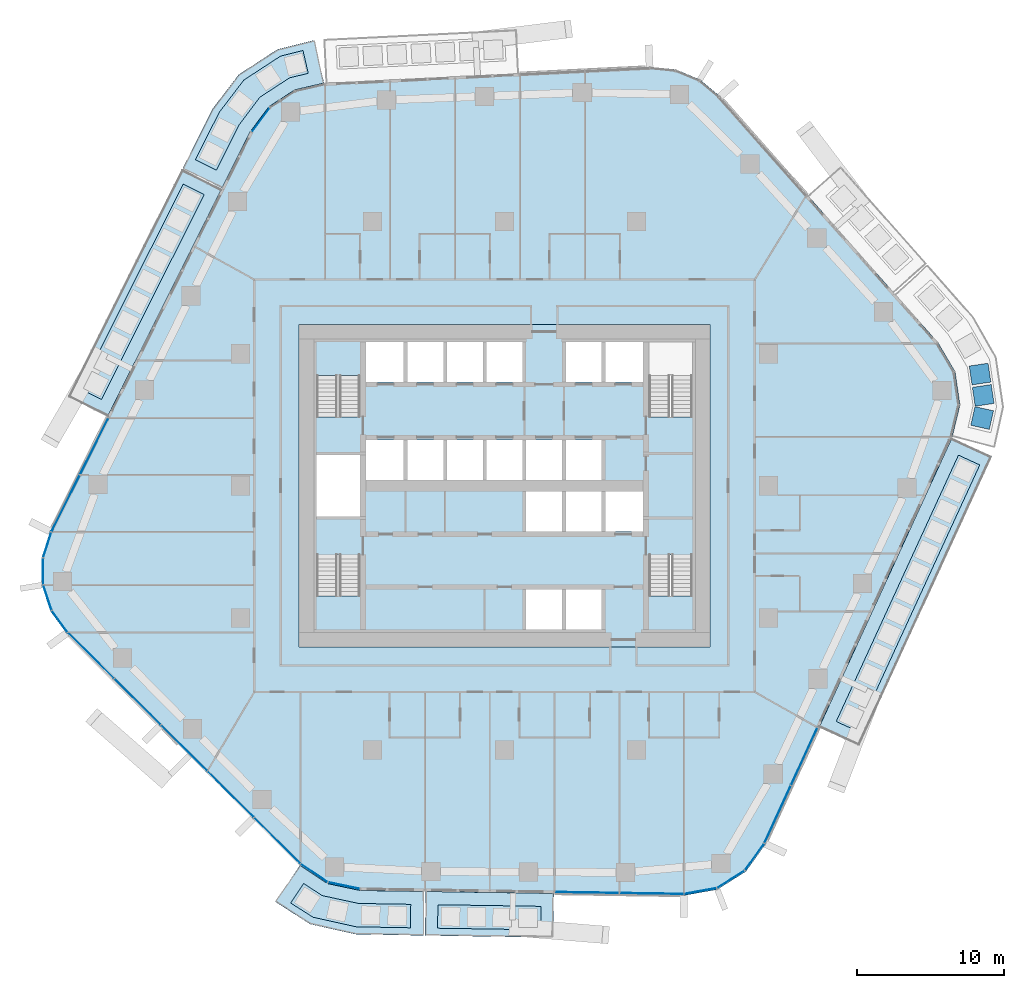
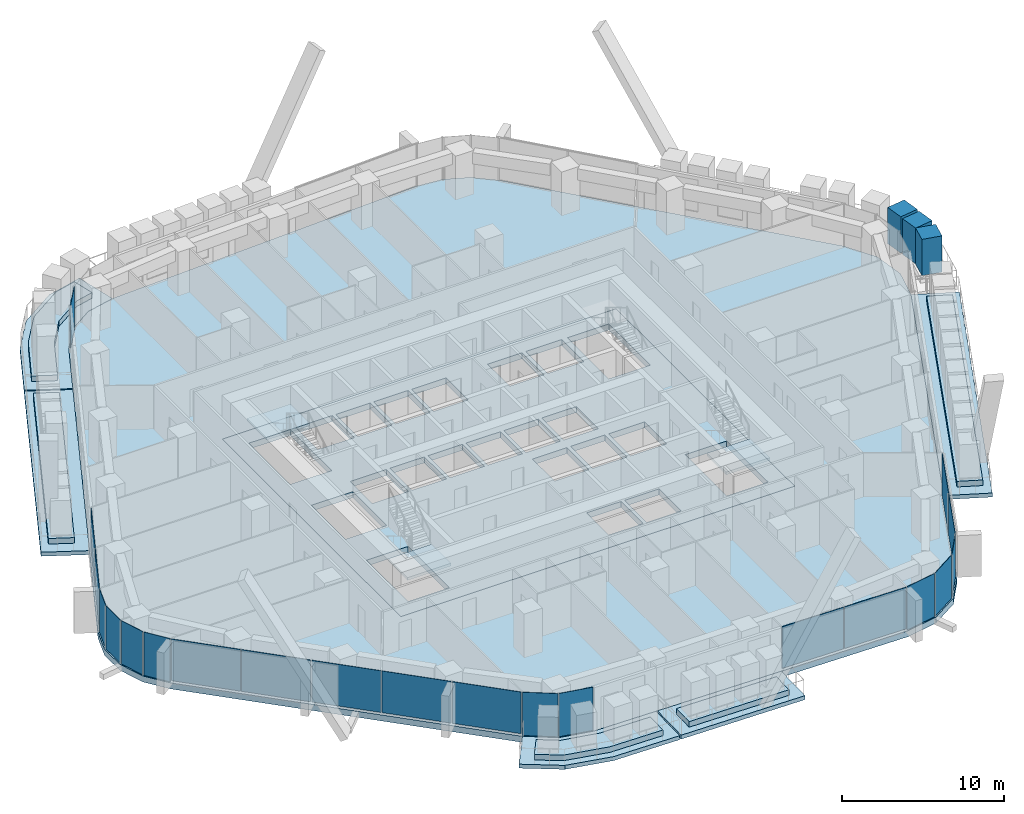
# One storey, part 9 of 25: 21 plates, 15 slabs, 3 members, 11 elements without a shape of their own.
"""IFC4 building model written with IfcOpenShell, lengths in metres."""

from ifc_helpers import new_model, si_unit, direction, frame, origin, origin_2d, place, context, subcontext, project, spatial, polyline, rectangle, outline, extrude, material, layer, layer_set, material_profile, profile_set, type_object, element, aggregate, save


model = new_model("IFC4")

# Units and contexts
model_context = context("Model", 3, precision=1e-05, world=origin(), true_north=direction((0.0, 1.0)))
body_context = subcontext(model_context, "Body", "Model", "MODEL_VIEW")
ifc_project = project(units=[si_unit("LENGTHUNIT", "METRE"), si_unit("AREAUNIT", "SQUARE_METRE"), si_unit("VOLUMEUNIT", "CUBIC_METRE"), si_unit("PLANEANGLEUNIT", "RADIAN"), si_unit("MASSUNIT", "GRAM", prefix="KILO")], contexts=[model_context])

# Site, building, storey
site_placement = place(None, origin())
site = spatial("IfcSite", under=ifc_project, at=site_placement, CompositionType="ELEMENT")
building_placement = place(site_placement, origin())
building = spatial("IfcBuilding", under=site, at=building_placement, Name="Dongbaek Canopy Tower", CompositionType="ELEMENT")
storey_placement = place(building_placement, frame((0.0, 0.0, 102.60009765625)))
storey = spatial("IfcBuildingStorey", under=building, at=storey_placement, Name="L21", CompositionType="ELEMENT", Elevation=102.60009765625)

# Members
ifc_material_1 = material(Name="Concrete C40/50 planter mass with planting", Category="concrete")
ifc_material_profile = material_profile(ifc_material_1, rectangle(XDim=1.300048828125, YDim=1.300048828125, at=origin_2d()), Name="Terrace PLANTER shrub mass 1300 x 1300")
ifc_profile_set = profile_set([ifc_material_profile], Name="Concrete C40/50 planter mass with planting")
member_type = type_object("IfcMemberType", Name="Terrace PLANTER shrub mass 1300 x 1300", PredefinedType="USERDEFINED", material=ifc_profile_set)
member_1_placement = place(storey_placement, frame((32.549072265625, 4.616943359375, 0.419921875), z_axis=(0.0, 0.0, 1.0), x_axis=(0.976094112802, -0.217348298712, 0.0)))
element("IfcMember", 1, at=member_1_placement, inside=storey, type_object=member_type, Name="Planter shrubs L21 6.1", ObjectType="PLANTER", PredefinedType="USERDEFINED", context=body_context, shape_type="SweptSolid", body=[
    extrude(rectangle(XDim=1.300048828125, YDim=1.300048828125, at=origin_2d()), origin(), (0.0, 0.0, 1.0), 2.72998046875),
])
member_2_placement = place(storey_placement, frame((32.62255859375, 6.158935546875, 0.419921875), z_axis=(0.0, 0.0, 1.0), x_axis=(0.989189795198, 0.146640884737, 0.0)))
element("IfcMember", 2, at=member_2_placement, inside=storey, type_object=member_type, Name="Planter shrubs L21 6.2", ObjectType="PLANTER", PredefinedType="USERDEFINED", context=body_context, shape_type="SweptSolid", body=[
    extrude(rectangle(XDim=1.300048828125, YDim=1.300048828125, at=origin_2d()), origin(), (0.0, 0.0, 1.0), 2.68994140625),
])
member_3_placement = place(storey_placement, frame((32.406982421875, 7.6142578125, 0.419921875), z_axis=(0.0, 0.0, 1.0), x_axis=(0.989189795198, 0.146640884737, 0.0)))
element("IfcMember", 3, at=member_3_placement, inside=storey, type_object=member_type, Name="Planter shrubs L21 6.3", ObjectType="PLANTER", PredefinedType="USERDEFINED", context=body_context, shape_type="SweptSolid", body=[
    extrude(rectangle(XDim=1.300048828125, YDim=1.300048828125, at=origin_2d()), origin(), (0.0, 0.0, 1.0), 2.72998046875),
])

# Slabs
ifc_material_2 = material(Name="Concrete C40/50", Category="concrete")
ifc_layer_1 = layer(ifc_material_2, 0.300048828125)
ifc_layer_set_1 = layer_set([ifc_layer_1], Name="Balcony slab 300")
slab_type_1 = type_object("IfcSlabType", Name="Balcony slab 300", PredefinedType="FLOOR", material=ifc_layer_set_1)
slab_1_placement = place(storey_placement, frame((0.0, 0.0, -0.300048828125)))
element("IfcSlab", 4, at=slab_1_placement, inside=storey, type_object=slab_type_1, Name="Balcony L21 3", PredefinedType="FLOOR", context=body_context, shape_type="SweptSolid", body=[
    extrude(outline(polyline([(-19.29296875, 20.208740234375), (-27.054443359375, 4.7177734375), (-29.736572265625, 6.061767578125), (-21.97509765625, 21.552490234375), (-19.29296875, 20.208740234375)])), origin(), (0.0, 0.0, 1.0), 0.300048828125),
])
slab_2_placement = place(storey_placement, frame((0.0, 0.0, -0.300048828125)))
element("IfcSlab", 5, at=slab_2_placement, inside=storey, type_object=slab_type_1, Name="Balcony L21 7", PredefinedType="FLOOR", context=body_context, shape_type="SweptSolid", body=[
    extrude(outline(polyline([(-12.300537109375, 27.442138671875), (-14.301025390625, 26.98291015625), (-16.062255859375, 25.834228515625), (-17.31884765625, 24.1484375), (-19.248046875, 20.298095703125), (-21.93017578125, 21.641845703125), (-19.87255859375, 25.722900390625), (-18.115966796875, 28.02099609375), (-15.474365234375, 29.743896484375), (-12.971923828125, 30.365966796875), (-12.300537109375, 27.442138671875)])), origin(), (0.0, 0.0, 1.0), 0.300048828125),
])
slab_3_placement = place(storey_placement, frame((0.0, 0.0, -0.300048828125)))
element("IfcSlab", 6, at=slab_3_placement, inside=storey, type_object=slab_type_1, Name="Balcony L21 4", PredefinedType="FLOOR", context=body_context, shape_type="SweptSolid", body=[
    extrude(outline(polyline([(-5.375244140625, -27.649658203125), (3.3583984375, -27.7841796875), (3.312255859375, -30.783935546875), (-5.42138671875, -30.649169921875), (-5.375244140625, -27.649658203125)])), origin(), (0.0, 0.0, 1.0), 0.300048828125),
])
slab_4_placement = place(storey_placement, frame((0.0, 0.0, -0.300048828125)))
element("IfcSlab", 7, at=slab_4_placement, inside=storey, type_object=slab_type_1, Name="Balcony L21 8", PredefinedType="FLOOR", context=body_context, shape_type="SweptSolid", body=[
    extrude(outline(polyline([(-13.938720703125, -25.864013671875), (-12.08056640625, -27.110107421875), (-9.842041015625, -27.580810546875), (-5.47509765625, -27.64794921875), (-5.521484375, -30.647705078125), (-10.17529296875, -30.562255859375), (-13.245849609375, -29.87451171875), (-15.609619140625, -28.35546875), (-13.938720703125, -25.864013671875)])), origin(), (0.0, 0.0, 1.0), 0.300048828125),
])
slab_5_placement = place(storey_placement, frame((0.0, 0.0, -0.300048828125)))
element("IfcSlab", 8, at=slab_5_placement, inside=storey, type_object=slab_type_1, Name="Balcony L21 5", PredefinedType="FLOOR", context=body_context, shape_type="SweptSolid", body=[
    extrude(outline(polyline([(21.44091796875, -16.46435546875), (30.480712890625, 3.231689453125), (33.207275390625, 1.980224609375), (24.16748046875, -17.7158203125), (21.44091796875, -16.46435546875)])), origin(), (0.0, 0.0, 1.0), 0.300048828125),
])

# Curtain wall, plate
ifc_material_3 = material(Name="Aluminium 6063-T6 pale anodised", Category="aluminium")
ifc_layer_2 = layer(ifc_material_3, 0.199951171875)
ifc_layer_set_2 = layer_set([ifc_layer_2], Name="CW-1 unitised tower curtain wall")
curtain_wall_type = type_object("IfcCurtainWallType", Name="CW-1 unitised tower curtain wall", PredefinedType="NOTDEFINED", material=ifc_layer_set_2)
curtain_wall_1_placement = place(storey_placement, origin())
curtain_wall_1 = element("IfcCurtainWall", 9, at=curtain_wall_1_placement, inside=storey, type_object=curtain_wall_type, Name="CW-1 curtain wall K2.1b", PredefinedType="NOTDEFINED")
ifc_material_4 = material(Name="Clear laminated glass", Category="glass")
ifc_layer_3 = layer(ifc_material_4, 0.028076171875)
ifc_layer_set_3 = layer_set([ifc_layer_3], Name="CW-1 glazed panel 28")
plate_type = type_object("IfcPlateType", Name="CW-1 glazed panel 28", PredefinedType="CURTAIN_PANEL", material=ifc_layer_set_3)
plate_1_placement = place(storey_placement, frame((-16.613037109375, 24.927978515625, 0.0), z_axis=(0.0, 0.0, 1.0), x_axis=(-0.597679920267, -0.80173481458, 0.0)))
plate_1 = element("IfcPlate", 10, at=plate_1_placement, type_object=plate_type, Name="CW-1 panel K2.1b.2.1", PredefinedType="CURTAIN_PANEL", context=body_context, shape_type="SweptSolid", body=[
    extrude(rectangle(XDim=1.991943359375, YDim=0.028076171875, at=origin_2d()), origin(), (0.0, 0.0, 1.0), 3.25),
])
aggregate(curtain_wall_1, [plate_1])

# Curtain wall, plates
curtain_wall_2_placement = place(storey_placement, origin())
curtain_wall_2 = element("IfcCurtainWall", 11, at=curtain_wall_2_placement, inside=storey, type_object=curtain_wall_type, Name="CW-1 curtain wall F2.1", PredefinedType="NOTDEFINED")
plate_2_placement = place(storey_placement, frame((-27.963134765625, 2.6806640625, 0.119873046875), z_axis=(0.0, 0.0, 1.0), x_axis=(-0.447955625381, -0.894055791151, 0.0)))
plate_2 = element("IfcPlate", 12, at=plate_2_placement, type_object=plate_type, Name="CW-1 panel F2.1.1.1", PredefinedType="CURTAIN_PANEL", context=body_context, shape_type="SweptSolid", body=[
    extrude(rectangle(XDim=4.272705078125, YDim=0.028076171875, at=origin_2d()), origin(), (0.0, 0.0, 1.0), 3.1298828125),
])
plate_3_placement = place(storey_placement, frame((-29.9130859375, -1.210693359375, 0.119873046875), z_axis=(0.0, 0.0, 1.0), x_axis=(-0.447955625381, -0.894055791151, 0.0)))
plate_3 = element("IfcPlate", 13, at=plate_3_placement, type_object=plate_type, Name="CW-1 panel F2.1.2.1", PredefinedType="CURTAIN_PANEL", context=body_context, shape_type="SweptSolid", body=[
    extrude(rectangle(XDim=4.264892578125, YDim=0.028076171875, at=origin_2d()), origin(), (0.0, 0.0, 1.0), 3.1298828125),
])
aggregate(curtain_wall_2, [plate_2, plate_3])

curtain_wall_3_placement = place(storey_placement, origin())
curtain_wall_3 = element("IfcCurtainWall", 14, at=curtain_wall_3_placement, inside=storey, type_object=curtain_wall_type, Name="CW-1 curtain wall K3.1", PredefinedType="NOTDEFINED")
plate_4_placement = place(storey_placement, frame((-31.1669921875, -4.03515625, 0.0), z_axis=(0.0, 0.0, 1.0), x_axis=(-0.303048141579, -0.952975248307, 0.0)))
plate_4 = element("IfcPlate", 15, at=plate_4_placement, type_object=plate_type, Name="CW-1 panel K3.1.1.1", PredefinedType="CURTAIN_PANEL", context=body_context, shape_type="SweptSolid", body=[
    extrude(rectangle(XDim=1.763671875, YDim=0.028076171875, at=origin_2d()), origin(), (0.0, 0.0, 1.0), 3.25),
])
plate_5_placement = place(storey_placement, frame((-31.442138671875, -5.83544921875, 0.0), z_axis=(0.0, 0.0, 1.0), x_axis=(0.005286005708, -0.999986028974, 0.0)))
plate_5 = element("IfcPlate", 16, at=plate_5_placement, type_object=plate_type, Name="CW-1 panel K3.1.2.1", PredefinedType="CURTAIN_PANEL", context=body_context, shape_type="SweptSolid", body=[
    extrude(rectangle(XDim=1.755859375, YDim=0.028076171875, at=origin_2d()), origin(), (0.0, 0.0, 1.0), 3.25),
])
plate_6_placement = place(storey_placement, frame((-31.149169921875, -7.629150390625, 0.0), z_axis=(0.0, 0.0, 1.0), x_axis=(0.313105930571, -0.94971820886, 0.0)))
plate_6 = element("IfcPlate", 17, at=plate_6_placement, type_object=plate_type, Name="CW-1 panel K3.1.3.1", PredefinedType="CURTAIN_PANEL", context=body_context, shape_type="SweptSolid", body=[
    extrude(rectangle(XDim=1.755859375, YDim=0.028076171875, at=origin_2d()), origin(), (0.0, 0.0, 1.0), 3.25),
])
plate_7_placement = place(storey_placement, frame((-30.315673828125, -9.248291015625, 0.0), z_axis=(0.0, 0.0, 1.0), x_axis=(0.59046692307, -0.80706183949, 0.0)))
plate_7 = element("IfcPlate", 18, at=plate_7_placement, type_object=plate_type, Name="CW-1 panel K3.1.4.1", PredefinedType="CURTAIN_PANEL", context=body_context, shape_type="SweptSolid", body=[
    extrude(rectangle(XDim=1.763671875, YDim=0.028076171875, at=origin_2d()), origin(), (0.0, 0.0, 1.0), 3.25),
])
aggregate(curtain_wall_3, [plate_4, plate_5, plate_6, plate_7])

curtain_wall_4_placement = place(storey_placement, origin())
curtain_wall_4 = element("IfcCurtainWall", 19, at=curtain_wall_4_placement, inside=storey, type_object=curtain_wall_type, Name="CW-1 curtain wall F3.1", PredefinedType="NOTDEFINED")
plate_8_placement = place(storey_placement, frame((-28.186279296875, -11.56884765625, 0.119873046875), z_axis=(0.0, 0.0, 1.0), x_axis=(0.709102880768, -0.705105030819, 0.0)))
plate_8 = element("IfcPlate", 20, at=plate_8_placement, type_object=plate_type, Name="CW-1 panel F3.1.1.1", PredefinedType="CURTAIN_PANEL", context=body_context, shape_type="SweptSolid", body=[
    extrude(rectangle(XDim=4.383056640625, YDim=0.028076171875, at=origin_2d()), origin(), (0.0, 0.0, 1.0), 3.1298828125),
])
plate_9_placement = place(storey_placement, frame((-25.015869140625, -14.721435546875, 0.119873046875), z_axis=(0.0, 0.0, 1.0), x_axis=(0.709102880768, -0.705105030819, 0.0)))
plate_9 = element("IfcPlate", 21, at=plate_9_placement, type_object=plate_type, Name="CW-1 panel F3.1.2.1", PredefinedType="CURTAIN_PANEL", context=body_context, shape_type="SweptSolid", body=[
    extrude(rectangle(XDim=4.390869140625, YDim=0.028076171875, at=origin_2d()), origin(), (0.0, 0.0, 1.0), 3.1298828125),
])
plate_10_placement = place(storey_placement, frame((-21.8427734375, -17.876708984375, 0.119873046875), z_axis=(0.0, 0.0, 1.0), x_axis=(0.709102880768, -0.705105030819, 0.0)))
plate_10 = element("IfcPlate", 22, at=plate_10_placement, type_object=plate_type, Name="CW-1 panel F3.1.3.1", PredefinedType="CURTAIN_PANEL", context=body_context, shape_type="SweptSolid", body=[
    extrude(rectangle(XDim=4.390869140625, YDim=0.028076171875, at=origin_2d()), origin(), (0.0, 0.0, 1.0), 3.1298828125),
])
plate_11_placement = place(storey_placement, frame((-18.66943359375, -21.0322265625, 0.119873046875), z_axis=(0.0, 0.0, 1.0), x_axis=(0.709102880768, -0.705105030819, 0.0)))
plate_11 = element("IfcPlate", 23, at=plate_11_placement, type_object=plate_type, Name="CW-1 panel F3.1.4.1", PredefinedType="CURTAIN_PANEL", context=body_context, shape_type="SweptSolid", body=[
    extrude(rectangle(XDim=4.390869140625, YDim=0.028076171875, at=origin_2d()), origin(), (0.0, 0.0, 1.0), 3.1298828125),
])
plate_12_placement = place(storey_placement, frame((-15.499755859375, -24.18408203125, 0.119873046875), z_axis=(0.0, 0.0, 1.0), x_axis=(0.709102880768, -0.705105030819, 0.0)))
plate_12 = element("IfcPlate", 24, at=plate_12_placement, type_object=plate_type, Name="CW-1 panel F3.1.5.1", PredefinedType="CURTAIN_PANEL", context=body_context, shape_type="SweptSolid", body=[
    extrude(rectangle(XDim=4.38134765625, YDim=0.028076171875, at=origin_2d()), origin(), (0.0, 0.0, 1.0), 3.1298828125),
])
aggregate(curtain_wall_4, [plate_8, plate_9, plate_10, plate_11, plate_12])

curtain_wall_5_placement = place(storey_placement, origin())
curtain_wall_5 = element("IfcCurtainWall", 25, at=curtain_wall_5_placement, inside=storey, type_object=curtain_wall_type, Name="CW-1 curtain wall K4.1", PredefinedType="NOTDEFINED")
plate_13_placement = place(storey_placement, frame((-12.978759765625, -26.38720703125, 0.0), z_axis=(0.0, 0.0, 1.0), x_axis=(0.830505455557, -0.557010492083, 0.0)))
plate_13 = element("IfcPlate", 26, at=plate_13_placement, type_object=plate_type, Name="CW-1 panel K4.1.1.1", PredefinedType="CURTAIN_PANEL", context=body_context, shape_type="SweptSolid", body=[
    extrude(rectangle(XDim=2.17431640625, YDim=0.028076171875, at=origin_2d()), origin(), (0.0, 0.0, 1.0), 3.25),
])
plate_14_placement = place(storey_placement, frame((-10.935791015625, -27.24853515625, 0.0), z_axis=(0.0, 0.0, 1.0), x_axis=(0.978610165057, -0.205723466931, 0.0)))
plate_14 = element("IfcPlate", 27, at=plate_14_placement, type_object=plate_type, Name="CW-1 panel K4.1.2.1", PredefinedType="CURTAIN_PANEL", context=body_context, shape_type="SweptSolid", body=[
    extrude(rectangle(XDim=2.17431640625, YDim=0.028076171875, at=origin_2d()), origin(), (0.0, 0.0, 1.0), 3.25),
])
aggregate(curtain_wall_5, [plate_13, plate_14])

curtain_wall_6_placement = place(storey_placement, origin())
curtain_wall_6 = element("IfcCurtainWall", 28, at=curtain_wall_6_placement, inside=storey, type_object=curtain_wall_type, Name="CW-1 curtain wall F4.1", PredefinedType="NOTDEFINED")
plate_15_placement = place(storey_placement, frame((5.618408203125, -27.718994140625, 0.119873046875), z_axis=(0.0, 0.0, 1.0), x_axis=(0.999881214531, -0.015412878639, 0.0)))
plate_15 = element("IfcPlate", 29, at=plate_15_placement, type_object=plate_type, Name="CW-1 panel F4.1.1.1", PredefinedType="CURTAIN_PANEL", context=body_context, shape_type="SweptSolid", body=[
    extrude(rectangle(XDim=4.333251953125, YDim=0.028076171875, at=origin_2d()), origin(), (0.0, 0.0, 1.0), 3.1298828125),
])
plate_16_placement = place(storey_placement, frame((10.0302734375, -27.787109375, 0.119873046875), z_axis=(0.0, 0.0, 1.0), x_axis=(0.999881214531, -0.015412878639, 0.0)))
plate_16 = element("IfcPlate", 30, at=plate_16_placement, type_object=plate_type, Name="CW-1 panel F4.1.2.1", PredefinedType="CURTAIN_PANEL", context=body_context, shape_type="SweptSolid", body=[
    extrude(rectangle(XDim=4.32373046875, YDim=0.028076171875, at=origin_2d()), origin(), (0.0, 0.0, 1.0), 3.1298828125),
])
aggregate(curtain_wall_6, [plate_15, plate_16])

curtain_wall_7_placement = place(storey_placement, origin())
curtain_wall_7 = element("IfcCurtainWall", 31, at=curtain_wall_7_placement, inside=storey, type_object=curtain_wall_type, Name="CW-1 curtain wall K5.1", PredefinedType="NOTDEFINED")
plate_17_placement = place(storey_placement, frame((13.350341796875, -27.62109375, 0.0), z_axis=(0.0, 0.0, 1.0), x_axis=(0.984333827458, 0.176314821048, 0.0)))
plate_17 = element("IfcPlate", 32, at=plate_17_placement, type_object=plate_type, Name="CW-1 panel K5.1.1.1", PredefinedType="CURTAIN_PANEL", context=body_context, shape_type="SweptSolid", body=[
    extrude(rectangle(XDim=2.184326171875, YDim=0.028076171875, at=origin_2d()), origin(), (0.0, 0.0, 1.0), 3.25),
])
plate_18_placement = place(storey_placement, frame((15.422119140625, -26.81884765625, 0.0), z_axis=(0.0, 0.0, 1.0), x_axis=(0.845897275407, 0.533345853512, 0.0)))
plate_18 = element("IfcPlate", 33, at=plate_18_placement, type_object=plate_type, Name="CW-1 panel K5.1.2.1", PredefinedType="CURTAIN_PANEL", context=body_context, shape_type="SweptSolid", body=[
    extrude(rectangle(XDim=2.174560546875, YDim=0.028076171875, at=origin_2d()), origin(), (0.0, 0.0, 1.0), 3.25),
])
plate_19_placement = place(storey_placement, frame((17.0390625, -25.295166015625, 0.0), z_axis=(0.0, 0.0, 1.0), x_axis=(0.583421868273, 0.812169270301, 0.0)))
plate_19 = element("IfcPlate", 34, at=plate_19_placement, type_object=plate_type, Name="CW-1 panel K5.1.3.1", PredefinedType="CURTAIN_PANEL", context=body_context, shape_type="SweptSolid", body=[
    extrude(rectangle(XDim=2.184326171875, YDim=0.028076171875, at=origin_2d()), origin(), (0.0, 0.0, 1.0), 3.25),
])
aggregate(curtain_wall_7, [plate_17, plate_18, plate_19])

curtain_wall_8_placement = place(storey_placement, origin())
curtain_wall_8 = element("IfcCurtainWall", 35, at=curtain_wall_8_placement, inside=storey, type_object=curtain_wall_type, Name="CW-1 curtain wall F5.1", PredefinedType="NOTDEFINED")
plate_20_placement = place(storey_placement, frame((18.60693359375, -22.39990234375, 0.119873046875), z_axis=(0.0, 0.0, 1.0), x_axis=(0.417125975185, 0.908848678728, 0.0)))
plate_20 = element("IfcPlate", 36, at=plate_20_placement, type_object=plate_type, Name="CW-1 panel F5.1.1.1", PredefinedType="CURTAIN_PANEL", context=body_context, shape_type="SweptSolid", body=[
    extrude(rectangle(XDim=4.260498046875, YDim=0.028076171875, at=origin_2d()), origin(), (0.0, 0.0, 1.0), 3.1298828125),
])
plate_21_placement = place(storey_placement, frame((20.421142578125, -18.44677734375, 0.119873046875), z_axis=(0.0, 0.0, 1.0), x_axis=(0.417125975185, 0.908848678728, 0.0)))
plate_21 = element("IfcPlate", 37, at=plate_21_placement, type_object=plate_type, Name="CW-1 panel F5.1.2.1", PredefinedType="CURTAIN_PANEL", context=body_context, shape_type="SweptSolid", body=[
    extrude(rectangle(XDim=4.270263671875, YDim=0.028076171875, at=origin_2d()), origin(), (0.0, 0.0, 1.0), 3.1298828125),
])
aggregate(curtain_wall_8, [plate_20, plate_21])

# Slab
ifc_material_5 = material(Name="Concrete C40/50", Category="concrete")
ifc_layer_4 = layer(ifc_material_5, 0.449951171875)
ifc_layer_set_4 = layer_set([ifc_layer_4], Name="Core floor slab 450 Concrete C40/50")
slab_type_2 = type_object("IfcSlabType", Name="Core floor slab 450 Concrete C40/50", PredefinedType="FLOOR", material=ifc_layer_set_4)
slab_6_placement = place(storey_placement, frame((0.0, 0.0, -0.4501953125)))
element("IfcSlab", 38, at=slab_6_placement, inside=storey, type_object=slab_type_2, Name="Core floor slab L21", PredefinedType="FLOOR", context=body_context, shape_type="SweptSolid", body=[
    extrude(outline(polyline([(14.0, -11.0), (14.0, 11.0), (-14.0, 11.0), (-14.0, -11.0), (14.0, -11.0)]), holes=[polyline([(-12.800048828125, 2.10009765625), (-9.85009765625, 2.10009765625), (-9.85009765625, -2.10009765625), (-12.800048828125, -2.10009765625), (-12.800048828125, 2.10009765625)]), polyline([(-6.875, 9.800048828125), (-6.875, 7.074951171875), (-9.449951171875, 7.074951171875), (-9.449951171875, 9.800048828125), (-6.875, 9.800048828125)]), polyline([(-4.175048828125, 9.800048828125), (-4.175048828125, 7.074951171875), (-6.625, 7.074951171875), (-6.625, 9.800048828125), (-4.175048828125, 9.800048828125)]), polyline([(-1.47509765625, 9.800048828125), (-1.47509765625, 7.074951171875), (-3.925048828125, 7.074951171875), (-3.925048828125, 9.800048828125), (-1.47509765625, 9.800048828125)]), polyline([(1.22509765625, 9.800048828125), (1.22509765625, 7.074951171875), (-1.22509765625, 7.074951171875), (-1.22509765625, 9.800048828125), (1.22509765625, 9.800048828125)]), polyline([(6.625, 9.800048828125), (6.625, 7.074951171875), (4.175048828125, 7.074951171875), (4.175048828125, 9.800048828125), (6.625, 9.800048828125)]), polyline([(9.449951171875, 7.074951171875), (6.875, 7.074951171875), (6.875, 9.800048828125), (9.449951171875, 9.800048828125), (9.449951171875, 7.074951171875)]), polyline([(-9.449951171875, 3.125), (-6.875, 3.125), (-6.875, 0.39990234375), (-9.449951171875, 0.39990234375), (-9.449951171875, 3.125)]), polyline([(-6.625, 3.125), (-4.175048828125, 3.125), (-4.175048828125, 0.39990234375), (-6.625, 0.39990234375), (-6.625, 3.125)]), polyline([(-3.925048828125, 3.125), (-1.47509765625, 3.125), (-1.47509765625, 0.39990234375), (-3.925048828125, 0.39990234375), (-3.925048828125, 3.125)]), polyline([(-1.22509765625, 0.39990234375), (-1.22509765625, 3.125), (1.22509765625, 3.125), (1.22509765625, 0.39990234375), (-1.22509765625, 0.39990234375)]), polyline([(1.47509765625, 0.39990234375), (1.47509765625, 3.125), (3.925048828125, 3.125), (3.925048828125, 0.39990234375), (1.47509765625, 0.39990234375)]), polyline([(4.175048828125, 0.39990234375), (4.175048828125, 3.125), (6.625, 3.125), (6.625, 0.39990234375), (4.175048828125, 0.39990234375)]), polyline([(1.47509765625, -0.39990234375), (3.925048828125, -0.39990234375), (3.925048828125, -3.125), (1.47509765625, -3.125), (1.47509765625, -0.39990234375)]), polyline([(6.625, -0.39990234375), (6.625, -3.125), (4.175048828125, -3.125), (4.175048828125, -0.39990234375), (6.625, -0.39990234375)]), polyline([(9.449951171875, -3.125), (6.875, -3.125), (6.875, -0.39990234375), (9.449951171875, -0.39990234375), (9.449951171875, -3.125)]), polyline([(1.47509765625, -9.800048828125), (1.47509765625, -7.074951171875), (3.925048828125, -7.074951171875), (3.925048828125, -9.800048828125), (1.47509765625, -9.800048828125)]), polyline([(4.175048828125, -9.800048828125), (4.175048828125, -7.074951171875), (6.625, -7.074951171875), (6.625, -9.800048828125), (4.175048828125, -9.800048828125)]), polyline([(12.800048828125, 4.70068359375), (12.800048828125, 9.800048828125), (9.85009765625, 9.800048828125), (9.85009765625, 4.70068359375), (12.800048828125, 4.70068359375)]), polyline([(-9.85009765625, 4.70068359375), (-9.85009765625, 9.800048828125), (-12.800048828125, 9.800048828125), (-12.800048828125, 4.70068359375), (-9.85009765625, 4.70068359375)]), polyline([(9.85009765625, -4.70068359375), (9.85009765625, -9.800048828125), (12.800048828125, -9.800048828125), (12.800048828125, -4.70068359375), (9.85009765625, -4.70068359375)]), polyline([(-12.800048828125, -4.70068359375), (-12.800048828125, -9.800048828125), (-9.85009765625, -9.800048828125), (-9.85009765625, -4.70068359375), (-12.800048828125, -4.70068359375)])]), origin(), (0.0, 0.0, 1.0), 0.4501953125),
])

# Stair, slab
ifc_material_6 = material(Name="Concrete C40/50", Category="concrete")
stair_type = type_object("IfcStairType", Name="Core exit stair", PredefinedType="HALF_TURN_STAIR", material=ifc_material_6)
stair_1_placement = place(storey_placement, origin())
stair_1 = element("IfcStair", 39, at=stair_1_placement, inside=storey, type_object=stair_type, Name="L21 exit stair C", PredefinedType="HALF_TURN_STAIR")
ifc_material_7 = material(Name="Concrete C40/50", Category="concrete")
ifc_layer_5 = layer(ifc_material_7, 0.199951171875)
ifc_layer_set_5 = layer_set([ifc_layer_5], Name="Core stair landing 200")
slab_type_3 = type_object("IfcSlabType", Name="Core stair landing 200", PredefinedType="LANDING", material=ifc_layer_set_5)
slab_7_placement = place(storey_placement, frame((0.0, 0.0, 1.64990234375)))
slab_7 = element("IfcSlab", 40, at=slab_7_placement, type_object=slab_type_3, Name="ST-C landing 1", PredefinedType="LANDING", context=body_context, shape_type="SweptSolid", body=[
    extrude(outline(polyline([(-9.77490234375, 7.5), (-9.77490234375, 9.875), (-12.875, 9.875), (-12.875, 7.5), (-9.77490234375, 7.5)])), origin(), (0.0, 0.0, 1.0), 0.199951171875),
])
aggregate(stair_1, [slab_7])

stair_2_placement = place(storey_placement, origin())
stair_2 = element("IfcStair", 41, at=stair_2_placement, inside=storey, type_object=stair_type, Name="L21 exit stair B", PredefinedType="HALF_TURN_STAIR")
slab_8_placement = place(storey_placement, frame((0.0, 0.0, 1.64990234375)))
slab_8 = element("IfcSlab", 42, at=slab_8_placement, type_object=slab_type_3, Name="ST-B landing 1", PredefinedType="LANDING", context=body_context, shape_type="SweptSolid", body=[
    extrude(outline(polyline([(9.77490234375, -7.5), (9.77490234375, -9.875), (12.875, -9.875), (12.875, -7.5), (9.77490234375, -7.5)])), origin(), (0.0, 0.0, 1.0), 0.199951171875),
])
aggregate(stair_2, [slab_8])

stair_3_placement = place(storey_placement, origin())
stair_3 = element("IfcStair", 43, at=stair_3_placement, inside=storey, type_object=stair_type, Name="L21 exit stair D", PredefinedType="HALF_TURN_STAIR")
slab_9_placement = place(storey_placement, frame((0.0, 0.0, 1.64990234375)))
slab_9 = element("IfcSlab", 44, at=slab_9_placement, type_object=slab_type_3, Name="ST-D landing 1", PredefinedType="LANDING", context=body_context, shape_type="SweptSolid", body=[
    extrude(outline(polyline([(-12.875, -7.5), (-12.875, -9.875), (-9.77490234375, -9.875), (-9.77490234375, -7.5), (-12.875, -7.5)])), origin(), (0.0, 0.0, 1.0), 0.199951171875),
])
aggregate(stair_3, [slab_9])

# Slabs
ifc_material_8 = material(Name="Concrete C40", Category="concrete")
ifc_layer_6 = layer(ifc_material_8, 0.449951171875)
ifc_layer_set_6 = layer_set([ifc_layer_6], Name="RC FLAT PLATE 450 Concrete C40")
slab_type_4 = type_object("IfcSlabType", Name="RC FLAT PLATE 450 Concrete C40", PredefinedType="FLOOR", material=ifc_layer_set_6)
slab_10_placement = place(storey_placement, frame((0.0, 0.0, -0.4501953125)))
element("IfcSlab", 45, at=slab_10_placement, inside=storey, type_object=slab_type_4, Name="SLAB:L21", PredefinedType="FLOOR", context=body_context, shape_type="SweptSolid", body=[
    extrude(outline(polyline([(17.78759765625, -24.424560546875), (16.447021484375, -26.29052734375), (14.503662109375, -27.51611328125), (12.241943359375, -27.921142578125), (-9.842041015625, -27.580810546875), (-12.080322265625, -27.110107421875), (-13.97998046875, -25.8359375), (-29.84619140625, -10.059326171875), (-30.951171875, -8.549072265625), (-31.537109375, -6.771728515625), (-31.547119140625, -4.900390625), (-30.97998046875, -3.116943359375), (-17.31884765625, 24.1484375), (-16.062255859375, 25.833984375), (-14.301025390625, 26.98291015625), (-12.251708984375, 27.453369140625), (9.896728515625, 28.5517578125), (11.672607421875, 28.3740234375), (13.317626953125, 27.681884765625), (14.686279296875, 26.536376953125), (29.541015625, 9.7568359375), (30.70556640625, 7.77880859375), (31.042236328125, 5.508056640625), (30.50146484375, 3.277099609375), (17.78759765625, -24.424560546875)]), holes=[polyline([(14.0, 11.0), (-14.0, 11.0), (-14.0, -11.0), (14.0, -11.0), (14.0, 11.0)])]), origin(), (0.0, 0.0, 1.0), 0.4501953125),
])
ifc_material_9 = material(Name="Reinforced concrete C40/50 planter box with soil", Category="concrete")
ifc_layer_7 = layer(ifc_material_9, 0.419921875)
ifc_layer_set_7 = layer_set([ifc_layer_7], Name="Terrace planter box 1600 x 420")
slab_type_5 = type_object("IfcSlabType", Name="Terrace planter box 1600 x 420", PredefinedType="USERDEFINED", material=ifc_layer_set_7)
slab_11_placement = place(storey_placement, origin())
element("IfcSlab", 46, at=slab_11_placement, inside=storey, type_object=slab_type_5, Name="Balcony planter L21 3", ObjectType="PLANTER", PredefinedType="USERDEFINED", context=body_context, shape_type="SweptSolid", body=[
    extrude(outline(polyline([(-20.469482421875, 19.847412109375), (-27.469482421875, 5.87646484375), (-28.89990234375, 6.59326171875), (-21.89990234375, 20.564208984375), (-20.469482421875, 19.847412109375)])), origin(), (0.0, 0.0, 1.0), 0.419921875),
])
slab_12_placement = place(storey_placement, origin())
element("IfcSlab", 47, at=slab_12_placement, inside=storey, type_object=slab_type_5, Name="Balcony planter L21 7", ObjectType="PLANTER", PredefinedType="USERDEFINED", context=body_context, shape_type="SweptSolid", body=[
    extrude(outline(polyline([(-13.376953125, 28.108154296875), (-14.649169921875, 27.802001953125), (-16.671630859375, 26.48291015625), (-18.076416015625, 24.615478515625), (-19.640625, 21.50146484375), (-21.071044921875, 22.218017578125), (-19.4384765625, 25.455322265625), (-17.766845703125, 27.649169921875), (-15.27490234375, 29.2744140625), (-13.73486328125, 29.66748046875), (-13.376953125, 28.108154296875)])), origin(), (0.0, 0.0, 1.0), 0.419921875),
])
slab_13_placement = place(storey_placement, origin())
element("IfcSlab", 48, at=slab_13_placement, inside=storey, type_object=slab_type_5, Name="Balcony planter L21 4", ObjectType="PLANTER", PredefinedType="USERDEFINED", context=body_context, shape_type="SweptSolid", body=[
    extrude(outline(polyline([(-4.5390625, -28.552490234375), (2.494873046875, -28.660888671875), (2.47021484375, -30.2607421875), (-4.563720703125, -30.15234375), (-4.5390625, -28.552490234375)])), origin(), (0.0, 0.0, 1.0), 0.419921875),
])
slab_14_placement = place(storey_placement, origin())
element("IfcSlab", 49, at=slab_14_placement, inside=storey, type_object=slab_type_5, Name="Balcony planter L21 8", ObjectType="PLANTER", PredefinedType="USERDEFINED", context=body_context, shape_type="SweptSolid", body=[
    extrude(outline(polyline([(-13.68701171875, -27.104248046875), (-12.42626953125, -27.93017578125), (-9.94091796875, -28.465087890625), (-6.388916015625, -28.524169921875), (-6.41357421875, -30.123779296875), (-10.11865234375, -30.055419921875), (-13.0478515625, -29.404541015625), (-14.578125, -28.43310546875), (-13.68701171875, -27.104248046875)])), origin(), (0.0, 0.0, 1.0), 0.419921875),
])
slab_15_placement = place(storey_placement, origin())
element("IfcSlab", 50, at=slab_15_placement, inside=storey, type_object=slab_type_5, Name="Balcony planter L21 5", ObjectType="PLANTER", PredefinedType="USERDEFINED", context=body_context, shape_type="SweptSolid", body=[
    extrude(outline(polyline([(22.6044921875, -16.063232421875), (30.93505859375, 2.087890625), (32.38916015625, 1.42041015625), (24.05859375, -16.73046875), (22.6044921875, -16.063232421875)])), origin(), (0.0, 0.0, 1.0), 0.419921875),
])

save(model, "model.ifc")
